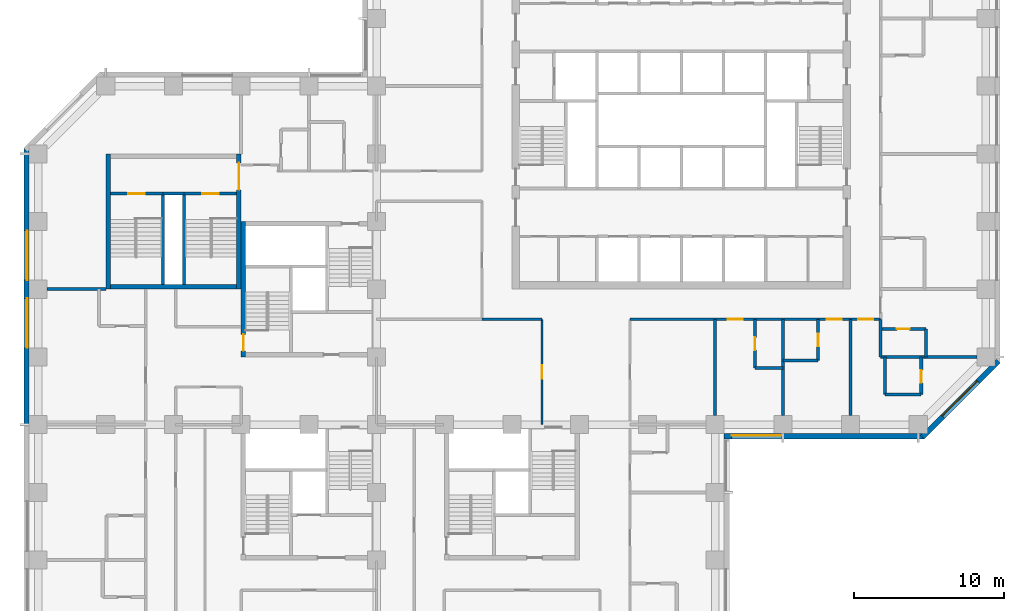
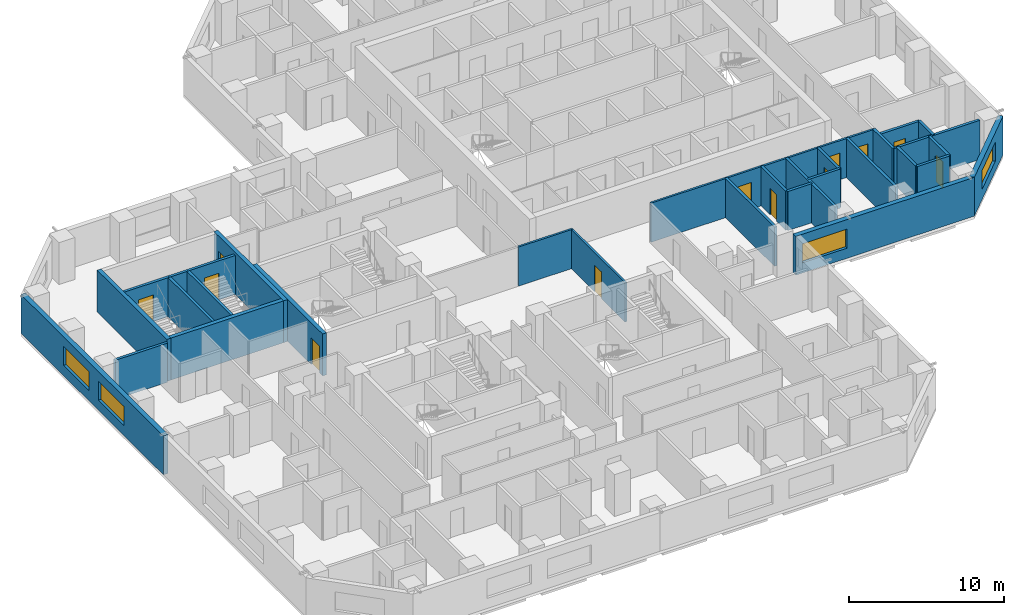
# One storey, part 6 of 13: 30 walls, 12 doors, 4 windows, 16 openings.
"""IFC4 building model written with IfcOpenShell, lengths in metres."""

from ifc_helpers import new_model, si_unit, direction, frame, frame_2d, origin, place, context, subcontext, project, spatial, rectangle, extrude, material, layer, layer_set, constituent, constituent_set, type_object, element, fill, save


model = new_model("IFC4")

# Units and contexts
model_context = context("Model", 3, precision=1e-05, world=origin(), true_north=direction((0.0, 1.0)))
body_context = subcontext(model_context, "Body", "Model", "MODEL_VIEW")
ifc_project = project(units=[si_unit("LENGTHUNIT", "METRE"), si_unit("AREAUNIT", "SQUARE_METRE"), si_unit("VOLUMEUNIT", "CUBIC_METRE"), si_unit("PLANEANGLEUNIT", "RADIAN"), si_unit("MASSUNIT", "GRAM", prefix="KILO")], contexts=[model_context])

# Site, building, storey
site_placement = place(None, origin())
site = spatial("IfcSite", under=ifc_project, at=site_placement, CompositionType="ELEMENT")
building_placement = place(site_placement, origin())
building = spatial("IfcBuilding", under=site, at=building_placement, Name="Quoin Convention Tower", CompositionType="ELEMENT")
storey_placement = place(building_placement, frame((0.0, 0.0, 62.699951171875)))
storey = spatial("IfcBuildingStorey", under=building, at=storey_placement, Name="L16", CompositionType="ELEMENT", Elevation=62.699951171875)

# Wall, opening, window
ifc_material_1 = material(Name="Brick masonry", Category="masonry")
ifc_layer_1 = layer(ifc_material_1, 0.35009765625)
ifc_layer_set_1 = layer_set([ifc_layer_1], Name="Brick masonry")
wall_type_1 = type_object("IfcWallType", Name="Brick facade wall", PredefinedType="STANDARD", material=ifc_layer_set_1)
wall_1_placement = place(storey_placement, frame((59.10009765625, 39.72509765625, 0.0), z_axis=(0.0, 0.0, 1.0), x_axis=(1.0, 0.0, 0.0)))
wall_1 = element("IfcWall", 1, at=wall_1_placement, inside=storey, type_object=wall_type_1, Name="fw-L16-58500_40500", PredefinedType="STANDARD", context=body_context, shape_type="SweptSolid", body=[
    extrude(rectangle(XDim=13.29345703125, YDim=0.35009765625, at=frame_2d((6.646728515625, 0.0))), origin(), (0.0, 0.0, 1.0), 3.054931640625),
])
opening_1_placement = place(wall_1_placement, frame((0.5, 0.0, 0.800048828125)))
opening_1 = element("IfcOpeningElement", 2, at=opening_1_placement, cuts=wall_1, Name="Opening W-01", PredefinedType="OPENING", context=body_context, shape_type="SweptSolid", body=[
    extrude(rectangle(XDim=3.300048828125, YDim=1.5, at=frame_2d((1.64990234375, 0.75))), frame((0.0, 0.18505859375, 0.0), z_axis=(0.0, -1.0, 0.0), x_axis=(1.0, 0.0, 0.0)), (0.0, 0.0, 1.0), 0.3701171875),
])
ifc_material_2 = material(Name="Aluminium", Category="aluminium")
ifc_constituent_1 = constituent(ifc_material_2, Name="Frame")
ifc_material_3 = material(Name="Insulated glass", Category="glass")
ifc_constituent_2 = constituent(ifc_material_3, Name="Glazing")
ifc_constituent_set = constituent_set(constituents=[ifc_constituent_1, ifc_constituent_2], Name="Aluminium")
window_type = type_object("IfcWindowType", Name="Hotel strip window", PartitioningType="DOUBLE_PANEL_VERTICAL", PredefinedType="WINDOW", material=ifc_constituent_set)
window_1_placement = place(opening_1_placement, origin())
window_1 = element("IfcWindow", 3, at=window_1_placement, inside=storey, type_object=window_type, Name="win-L16-60750_39725", OverallHeight=1.5, OverallWidth=3.300048828125, PartitioningType="SINGLE_PANEL", PredefinedType="WINDOW", context=body_context, shape_type="SweptSolid", body=[
    extrude(rectangle(XDim=3.300048828125, YDim=1.5, at=frame_2d((1.64990234375, 0.75))), frame((0.0, 0.0849609375, 0.0), z_axis=(0.0, -1.0, 0.0), x_axis=(1.0, 0.0, 0.0)), (0.0, 0.0, 1.0), 0.06005859375),
])
fill(opening_1, window_1)

wall_2_placement = place(storey_placement, frame((72.269775390625, 39.673583984375, 0.0), z_axis=(0.0, 0.0, 1.0), x_axis=(0.707106781187, 0.707106781187, 0.0)))
wall_2 = element("IfcWall", 4, at=wall_2_placement, inside=storey, type_object=wall_type_1, Name="fw-L16-72000_40500", PredefinedType="STANDARD", context=body_context, shape_type="SweptSolid", body=[
    extrude(rectangle(XDim=7.151123046875, YDim=0.35009765625, at=frame_2d((3.57568359375, 0.0))), origin(), (0.0, 0.0, 1.0), 3.054931640625),
])
opening_2_placement = place(wall_2_placement, frame((1.925537109375, 0.0, 0.800048828125)))
opening_2 = element("IfcOpeningElement", 5, at=opening_2_placement, cuts=wall_2, Name="Opening W-01", PredefinedType="OPENING", context=body_context, shape_type="SweptSolid", body=[
    extrude(rectangle(XDim=3.300048828125, YDim=1.5, at=frame_2d((1.64990234375, 0.75))), frame((0.0, 0.18505859375, 0.0), z_axis=(0.0, -1.0, 0.0), x_axis=(1.0, 0.0, 0.0)), (0.0, 0.0, 1.0), 0.3701171875),
])
window_2_placement = place(opening_2_placement, origin())
window_2 = element("IfcWindow", 6, at=window_2_placement, inside=storey, type_object=window_type, Name="win-L16-74798_42202", OverallHeight=1.5, OverallWidth=3.300048828125, PartitioningType="SINGLE_PANEL", PredefinedType="WINDOW", context=body_context, shape_type="SweptSolid", body=[
    extrude(rectangle(XDim=3.300048828125, YDim=1.5, at=frame_2d((1.64990234375, 0.75))), frame((0.0, 0.0849609375, 0.0), z_axis=(0.0, -1.0, 0.0), x_axis=(1.0, 0.0, 0.0)), (0.0, 0.0, 1.0), 0.06005859375),
])
fill(opening_2, window_2)

# Wall, openings, windows
wall_3_placement = place(storey_placement, frame((12.72509765625, 58.8935546875, 0.0), z_axis=(0.0, 0.0, 1.0), x_axis=(0.0, -1.0, 0.0)))
wall_3 = element("IfcWall", 7, at=wall_3_placement, inside=storey, type_object=wall_type_1, Name="fw-L16-13500_58500", PredefinedType="STANDARD", context=body_context, shape_type="SweptSolid", body=[
    extrude(rectangle(XDim=18.3935546875, YDim=0.35009765625, at=frame_2d((9.19677734375, 0.0))), origin(), (0.0, 0.0, 1.0), 3.054931640625),
])
opening_3_placement = place(wall_3_placement, frame((5.493408203125, 0.0, 0.800048828125)))
opening_3 = element("IfcOpeningElement", 8, at=opening_3_placement, cuts=wall_3, Name="Opening W-01", PredefinedType="OPENING", context=body_context, shape_type="SweptSolid", body=[
    extrude(rectangle(XDim=3.300048828125, YDim=1.5, at=frame_2d((1.64990234375, 0.75))), frame((0.0, 0.18505859375, 0.0), z_axis=(0.0, -1.0, 0.0), x_axis=(1.0, 0.0, 0.0)), (0.0, 0.0, 1.0), 0.3701171875),
])
opening_4_placement = place(wall_3_placement, frame((9.993408203125, 0.0, 0.800048828125)))
opening_4 = element("IfcOpeningElement", 9, at=opening_4_placement, cuts=wall_3, Name="Opening W-01", PredefinedType="OPENING", context=body_context, shape_type="SweptSolid", body=[
    extrude(rectangle(XDim=3.300048828125, YDim=1.5, at=frame_2d((1.64990234375, 0.75))), frame((0.0, 0.18505859375, 0.0), z_axis=(0.0, -1.0, 0.0), x_axis=(1.0, 0.0, 0.0)), (0.0, 0.0, 1.0), 0.3701171875),
])
window_3_placement = place(opening_3_placement, origin())
window_3 = element("IfcWindow", 10, at=window_3_placement, inside=storey, type_object=window_type, Name="win-L16-12725_51750", OverallHeight=1.5, OverallWidth=3.300048828125, PartitioningType="SINGLE_PANEL", PredefinedType="WINDOW", context=body_context, shape_type="SweptSolid", body=[
    extrude(rectangle(XDim=3.300048828125, YDim=1.5, at=frame_2d((1.64990234375, 0.75))), frame((0.0, 0.0849609375, 0.0), z_axis=(0.0, -1.0, 0.0), x_axis=(1.0, 0.0, 0.0)), (0.0, 0.0, 1.0), 0.06005859375),
])
fill(opening_3, window_3)
window_4_placement = place(opening_4_placement, origin())
window_4 = element("IfcWindow", 11, at=window_4_placement, inside=storey, type_object=window_type, Name="win-L16-12725_47250", OverallHeight=1.5, OverallWidth=3.300048828125, PartitioningType="SINGLE_PANEL", PredefinedType="WINDOW", context=body_context, shape_type="SweptSolid", body=[
    extrude(rectangle(XDim=3.300048828125, YDim=1.5, at=frame_2d((1.64990234375, 0.75))), frame((0.0, 0.0849609375, 0.0), z_axis=(0.0, -1.0, 0.0), x_axis=(1.0, 0.0, 0.0)), (0.0, 0.0, 1.0), 0.06005859375),
])
fill(opening_4, window_4)

# Wall
ifc_material_4 = material(Name="Concrete C50", Category="concrete")
ifc_layer_2 = layer(ifc_material_4, 0.199951171875)
ifc_layer_set_2 = layer_set([ifc_layer_2], Name="Concrete C50")
wall_type_2 = type_object("IfcWallType", Name="Core shaft wall", PredefinedType="SOLIDWALL", material=ifc_layer_set_2)
wall_4_placement = place(storey_placement, frame((21.800048828125, 55.85009765625, 0.0), z_axis=(0.0, 0.0, 1.0), x_axis=(1.0, 0.0, 0.0)))
element("IfcWall", 12, at=wall_4_placement, inside=storey, type_object=wall_type_2, Name="cr-P6-L16-h6350_3800", PredefinedType="SOLIDWALL", context=body_context, shape_type="SweptSolid", body=[
    extrude(rectangle(XDim=1.39990234375, YDim=0.199951171875, at=frame_2d((0.699951171875, 0.0))), origin(), (0.0, 0.0, 1.0), 3.080078125),
])

# Wall, opening, door
wall_5_placement = place(storey_placement, frame((18.300048828125, 55.85009765625, 0.0), z_axis=(0.0, 0.0, 1.0), x_axis=(1.0, 0.0, 0.0)))
wall_5 = element("IfcWall", 13, at=wall_5_placement, inside=storey, type_object=wall_type_2, Name="cr-P6-L16-h6350_300", PredefinedType="SOLIDWALL", context=body_context, shape_type="SweptSolid", body=[
    extrude(rectangle(XDim=3.5, YDim=0.199951171875, at=frame_2d((1.75, 0.0))), origin(), (0.0, 0.0, 1.0), 3.080078125),
])
opening_5_placement = place(wall_5_placement, frame((1.199951171875, 0.0, 0.0)))
opening_5 = element("IfcOpeningElement", 14, at=opening_5_placement, cuts=wall_5, Name="Opening SD11", PredefinedType="OPENING", context=body_context, shape_type="SweptSolid", body=[
    extrude(rectangle(XDim=1.10009765625, YDim=2.10009765625, at=frame_2d((0.550048828125, 1.050048828125))), frame((0.0, 0.10986328125, 0.0), z_axis=(0.0, -1.0, 0.0), x_axis=(1.0, 0.0, 0.0)), (0.0, 0.0, 1.0), 0.219970703125),
])
ifc_material_5 = material(Name="Steel door leaf", Category="steel")
door_type_1 = type_object("IfcDoorType", Name="Stair door 1100 x 2100", OperationType="SINGLE_SWING_RIGHT", PredefinedType="DOOR", material=ifc_material_5)
door_1_placement = place(opening_5_placement, origin())
door_1 = element("IfcDoor", 15, at=door_1_placement, inside=storey, type_object=door_type_1, Name="cd-P6-L16-SA-R2-SD11", OperationType="SINGLE_SWING_RIGHT", OverallHeight=2.10009765625, OverallWidth=1.10009765625, PredefinedType="DOOR", context=body_context, shape_type="SweptSolid", body=[
    extrude(rectangle(XDim=1.10009765625, YDim=2.10009765625, at=frame_2d((0.550048828125, 1.050048828125))), frame((0.0, 0.02490234375, 0.0), z_axis=(0.0, -1.0, 0.0), x_axis=(1.0, 0.0, 0.0)), (0.0, 0.0, 1.0), 0.050048828125),
])
fill(opening_5, door_1)

wall_6_placement = place(storey_placement, frame((23.199951171875, 55.85009765625, 0.0), z_axis=(0.0, 0.0, 1.0), x_axis=(1.0, 0.0, 0.0)))
wall_6 = element("IfcWall", 16, at=wall_6_placement, inside=storey, type_object=wall_type_2, Name="cr-P6-L16-h6350_5200", PredefinedType="SOLIDWALL", context=body_context, shape_type="SweptSolid", body=[
    extrude(rectangle(XDim=3.5, YDim=0.199951171875, at=frame_2d((1.75, 0.0))), origin(), (0.0, 0.0, 1.0), 3.080078125),
])
opening_6_placement = place(wall_6_placement, frame((1.199951171875, 0.0, 0.0)))
opening_6 = element("IfcOpeningElement", 17, at=opening_6_placement, cuts=wall_6, Name="Opening SD12", PredefinedType="OPENING", context=body_context, shape_type="SweptSolid", body=[
    extrude(rectangle(XDim=1.10009765625, YDim=2.10009765625, at=frame_2d((0.550048828125, 1.050048828125))), frame((0.0, 0.10986328125, 0.0), z_axis=(0.0, -1.0, 0.0), x_axis=(1.0, 0.0, 0.0)), (0.0, 0.0, 1.0), 0.219970703125),
])
door_2_placement = place(opening_6_placement, origin())
door_2 = element("IfcDoor", 18, at=door_2_placement, inside=storey, type_object=door_type_1, Name="cd-P6-L16-SB-R2-SD12", OperationType="SINGLE_SWING_RIGHT", OverallHeight=2.10009765625, OverallWidth=1.10009765625, PredefinedType="DOOR", context=body_context, shape_type="SweptSolid", body=[
    extrude(rectangle(XDim=1.10009765625, YDim=2.10009765625, at=frame_2d((0.550048828125, 1.050048828125))), frame((0.0, 0.02490234375, 0.0), z_axis=(0.0, -1.0, 0.0), x_axis=(1.0, 0.0, 0.0)), (0.0, 0.0, 1.0), 0.050048828125),
])
fill(opening_6, door_2)

# Walls
for number, where, z_axis, x_axis, name in (
    (19, (21.800048828125, 49.800048828125, 0.0), (0.0, 0.0, 1.0), (0.0, 1.0, 0.0), "cr-P6-L16-v3800_300"),
    (20, (23.199951171875, 49.800048828125, 0.0), (0.0, 0.0, 1.0), (0.0, 1.0, 0.0), "cr-P6-L16-v5200_300"),
):
    element("IfcWall", number, at=place(storey_placement, frame(where, z_axis=z_axis, x_axis=x_axis)), inside=storey, type_object=wall_type_2, Name=name, PredefinedType="SOLIDWALL", context=body_context, shape_type="SweptSolid", body=[
        extrude(rectangle(XDim=6.050048828125, YDim=0.199951171875, at=frame_2d((3.02490234375, 0.0))), origin(), (0.0, 0.0, 1.0), 3.080078125),
    ])

# Wall, opening, door
ifc_material_6 = material(Name="Concrete C80", Category="concrete")
ifc_layer_3 = layer(ifc_material_6, 0.300048828125)
ifc_layer_set_3 = layer_set([ifc_layer_3], Name="Concrete C80")
wall_type_3 = type_object("IfcWallType", Name="RC CORE WALL 300 C80", PredefinedType="SHEAR", material=ifc_layer_set_3)
wall_7_placement = place(storey_placement, frame((27.14990234375, 45.0, 0.0), z_axis=(0.0, 0.0, 1.0), x_axis=(0.0, 1.0, 0.0)))
wall_7 = element("IfcWall", 21, at=wall_7_placement, inside=storey, type_object=wall_type_3, Name="cwl-P2-L16-W", PredefinedType="SHEAR", context=body_context, shape_type="SweptSolid", body=[
    extrude(rectangle(XDim=9.0, YDim=0.300048828125, at=frame_2d((4.5, 0.0))), origin(), (0.0, 0.0, 1.0), 3.300048828125),
])
opening_7_placement = place(wall_7_placement, frame((0.39990234375, 0.0, 0.0)))
opening_7 = element("IfcOpeningElement", 22, at=opening_7_placement, cuts=wall_7, Name="Opening SD3", PredefinedType="OPENING", context=body_context, shape_type="SweptSolid", body=[
    extrude(rectangle(XDim=1.10009765625, YDim=2.10009765625, at=frame_2d((0.550048828125, 1.050048828125))), frame((0.0, 0.159912109375, 0.0), z_axis=(0.0, -1.0, 0.0), x_axis=(1.0, 0.0, 0.0)), (0.0, 0.0, 1.0), 0.320068359375),
])
door_3_placement = place(opening_7_placement, frame((1.10009765625, 0.0, 0.0), z_axis=(0.0, 0.0, 1.0), x_axis=(-1.0, 0.0, 0.0)))
door_3 = element("IfcDoor", 23, at=door_3_placement, inside=storey, type_object=door_type_1, Name="cd-P2-L16-SA-W", OperationType="SINGLE_SWING_RIGHT", OverallHeight=2.10009765625, OverallWidth=1.10009765625, PredefinedType="DOOR", context=body_context, shape_type="SweptSolid", body=[
    extrude(rectangle(XDim=1.10009765625, YDim=2.10009765625, at=frame_2d((0.550048828125, 1.050048828125))), frame((0.0, 0.02490234375, 0.0), z_axis=(0.0, -1.0, 0.0), x_axis=(1.0, 0.0, 0.0)), (0.0, 0.0, 1.0), 0.050048828125),
])
fill(opening_7, door_3)

# Walls
wall_8_placement = place(storey_placement, frame((18.300048828125, 49.64990234375, 0.0), z_axis=(0.0, 0.0, 1.0), x_axis=(1.0, 0.0, 0.0)))
element("IfcWall", 24, at=wall_8_placement, inside=storey, type_object=wall_type_3, Name="cwl-P6-L16-S", PredefinedType="SHEAR", context=body_context, shape_type="SweptSolid", body=[
    extrude(rectangle(XDim=8.39990234375, YDim=0.300048828125, at=frame_2d((4.199951171875, 0.0))), origin(), (0.0, 0.0, 1.0), 3.300048828125),
])
wall_9_placement = place(storey_placement, frame((18.14990234375, 49.5, 0.0), z_axis=(0.0, 0.0, 1.0), x_axis=(0.0, 1.0, 0.0)))
element("IfcWall", 25, at=wall_9_placement, inside=storey, type_object=wall_type_3, Name="cwl-P6-L16-W", PredefinedType="SHEAR", context=body_context, shape_type="SweptSolid", body=[
    extrude(rectangle(XDim=9.0, YDim=0.300048828125, at=frame_2d((4.5, 0.0))), origin(), (0.0, 0.0, 1.0), 3.300048828125),
])

# Wall, opening, door
wall_10_placement = place(storey_placement, frame((26.85009765625, 49.5, 0.0), z_axis=(0.0, 0.0, 1.0), x_axis=(0.0, 1.0, 0.0)))
wall_10 = element("IfcWall", 26, at=wall_10_placement, inside=storey, type_object=wall_type_3, Name="cwl-P6-L16-E", PredefinedType="SHEAR", context=body_context, shape_type="SweptSolid", body=[
    extrude(rectangle(XDim=9.0, YDim=0.300048828125, at=frame_2d((4.5, 0.0))), origin(), (0.0, 0.0, 1.0), 3.300048828125),
])
opening_8_placement = place(wall_10_placement, frame((6.60009765625, 0.0, 0.0)))
opening_8 = element("IfcOpeningElement", 27, at=opening_8_placement, cuts=wall_10, Name="Opening DCV0-64", PredefinedType="OPENING", context=body_context, shape_type="SweptSolid", body=[
    extrude(rectangle(XDim=1.800048828125, YDim=2.10009765625, at=frame_2d((0.89990234375, 1.050048828125))), frame((0.0, 0.159912109375, 0.0), z_axis=(0.0, -1.0, 0.0), x_axis=(1.0, 0.0, 0.0)), (0.0, 0.0, 1.0), 0.320068359375),
])
door_type_2 = type_object("IfcDoorType", Name="Goods lobby door 1800 x 2100", OperationType="SINGLE_SWING_LEFT", PredefinedType="DOOR", material=ifc_material_5)
door_4_placement = place(opening_8_placement, origin())
door_4 = element("IfcDoor", 28, at=door_4_placement, inside=storey, type_object=door_type_2, Name="cd-P6-L16-R2-E", OperationType="SINGLE_SWING_LEFT", OverallHeight=2.10009765625, OverallWidth=1.800048828125, PredefinedType="DOOR", context=body_context, shape_type="SweptSolid", body=[
    extrude(rectangle(XDim=1.800048828125, YDim=2.10009765625, at=frame_2d((0.89990234375, 1.050048828125))), frame((0.0, 0.02490234375, 0.0), z_axis=(0.0, -1.0, 0.0), x_axis=(1.0, 0.0, 0.0)), (0.0, 0.0, 1.0), 0.050048828125),
])
fill(opening_8, door_4)

# Walls
ifc_layer_4 = layer(ifc_material_4, 0.199951171875)
ifc_layer_set_4 = layer_set([ifc_layer_4], Name="Concrete C50")
wall_type_4 = type_object("IfcWallType", Name="RC party wall", PredefinedType="SOLIDWALL", material=ifc_layer_set_4)
for number, where, z_axis, x_axis, name in (
    (29, (63.0, 41.10009765625, 0.0), (0.0, 0.0, 1.0), (0.0, 1.0, 0.0), "pw-L16-073"),
    (30, (67.5, 41.10009765625, 0.0), (0.0, 0.0, 1.0), (0.0, 1.0, 0.0), "pw-L16-074"),
):
    element("IfcWall", number, at=place(storey_placement, frame(where, z_axis=z_axis, x_axis=x_axis)), inside=storey, type_object=wall_type_4, Name=name, PredefinedType="SOLIDWALL", context=body_context, shape_type="SweptSolid", body=[
        extrude(rectangle(XDim=6.39990234375, YDim=0.199951171875, at=frame_2d((3.199951171875, 0.0))), origin(), (0.0, 0.0, 1.0), 3.080078125),
    ])
wall_11_placement = place(storey_placement, frame((69.800048828125, 42.5, 0.0), z_axis=(0.0, 0.0, 1.0), x_axis=(1.0, 0.0, 0.0)))
element("IfcWall", 31, at=wall_11_placement, inside=storey, type_object=wall_type_4, Name="pw-L16-075", PredefinedType="SOLIDWALL", context=body_context, shape_type="SweptSolid", body=[
    extrude(rectangle(XDim=2.39990234375, YDim=0.199951171875, at=frame_2d((1.199951171875, 0.0))), origin(), (0.0, 0.0, 1.0), 3.080078125),
])
wall_12_placement = place(storey_placement, frame((69.800048828125, 42.5, 0.0), z_axis=(0.0, 0.0, 1.0), x_axis=(0.0, 1.0, 0.0)))
element("IfcWall", 32, at=wall_12_placement, inside=storey, type_object=wall_type_4, Name="pw-L16-076", PredefinedType="SOLIDWALL", context=body_context, shape_type="SweptSolid", body=[
    extrude(rectangle(XDim=2.5, YDim=0.199951171875, at=frame_2d((1.25, 0.0))), origin(), (0.0, 0.0, 1.0), 3.080078125),
])

# Wall, opening, door
wall_13_placement = place(storey_placement, frame((72.199951171875, 42.5, 0.0), z_axis=(0.0, 0.0, 1.0), x_axis=(0.0, 1.0, 0.0)))
wall_13 = element("IfcWall", 33, at=wall_13_placement, inside=storey, type_object=wall_type_4, Name="pw-L16-077", PredefinedType="SOLIDWALL", context=body_context, shape_type="SweptSolid", body=[
    extrude(rectangle(XDim=2.5, YDim=0.199951171875, at=frame_2d((1.25, 0.0))), origin(), (0.0, 0.0, 1.0), 3.080078125),
])
opening_9_placement = place(wall_13_placement, frame((0.77490234375, 0.0, 0.0)))
opening_9 = element("IfcOpeningElement", 34, at=opening_9_placement, cuts=wall_13, Name="Opening DHOTEL-E-46", PredefinedType="OPENING", context=body_context, shape_type="SweptSolid", body=[
    extrude(rectangle(XDim=0.85009765625, YDim=2.10009765625, at=frame_2d((0.425048828125, 1.050048828125))), frame((0.0, 0.10986328125, 0.0), z_axis=(0.0, -1.0, 0.0), x_axis=(1.0, 0.0, 0.0)), (0.0, 0.0, 1.0), 0.219970703125),
])
door_type_3 = type_object("IfcDoorType", Name="Bathroom door", OperationType="SINGLE_SWING_LEFT", PredefinedType="DOOR", material=ifc_material_5)
door_5_placement = place(opening_9_placement, frame((0.85009765625, 0.0, 0.0), z_axis=(0.0, 0.0, 1.0), x_axis=(-1.0, 0.0, 0.0)))
door_5 = element("IfcDoor", 35, at=door_5_placement, inside=storey, type_object=door_type_3, Name="dr-L16-060", OperationType="SINGLE_SWING_LEFT", OverallHeight=2.10009765625, OverallWidth=0.85009765625, PredefinedType="DOOR", context=body_context, shape_type="SweptSolid", body=[
    extrude(rectangle(XDim=0.85009765625, YDim=2.10009765625, at=frame_2d((0.425048828125, 1.050048828125))), frame((0.0, 0.02490234375, 0.0), z_axis=(0.0, -1.0, 0.0), x_axis=(1.0, 0.0, 0.0)), (0.0, 0.0, 1.0), 0.050048828125),
])
fill(opening_9, door_5)

# Wall
wall_14_placement = place(storey_placement, frame((61.14990234375, 44.25, 0.0), z_axis=(0.0, 0.0, 1.0), x_axis=(1.0, 0.0, 0.0)))
element("IfcWall", 36, at=wall_14_placement, inside=storey, type_object=wall_type_4, Name="pw-L16-078", PredefinedType="SOLIDWALL", context=body_context, shape_type="SweptSolid", body=[
    extrude(rectangle(XDim=1.85009765625, YDim=0.199951171875, at=frame_2d((0.925048828125, 0.0))), origin(), (0.0, 0.0, 1.0), 3.080078125),
])

# Wall, opening, door
wall_15_placement = place(storey_placement, frame((61.14990234375, 44.25, 0.0), z_axis=(0.0, 0.0, 1.0), x_axis=(0.0, 1.0, 0.0)))
wall_15 = element("IfcWall", 37, at=wall_15_placement, inside=storey, type_object=wall_type_4, Name="pw-L16-079", PredefinedType="SOLIDWALL", context=body_context, shape_type="SweptSolid", body=[
    extrude(rectangle(XDim=3.25, YDim=0.199951171875, at=frame_2d((1.625, 0.0))), origin(), (0.0, 0.0, 1.0), 3.080078125),
])
opening_10_placement = place(wall_15_placement, frame((1.199951171875, 0.0, 0.0)))
opening_10 = element("IfcOpeningElement", 38, at=opening_10_placement, cuts=wall_15, Name="Opening DHOTEL-E-47", PredefinedType="OPENING", context=body_context, shape_type="SweptSolid", body=[
    extrude(rectangle(XDim=0.85009765625, YDim=2.10009765625, at=frame_2d((0.425048828125, 1.050048828125))), frame((0.0, 0.10986328125, 0.0), z_axis=(0.0, -1.0, 0.0), x_axis=(1.0, 0.0, 0.0)), (0.0, 0.0, 1.0), 0.219970703125),
])
door_6_placement = place(opening_10_placement, origin())
door_6 = element("IfcDoor", 39, at=door_6_placement, inside=storey, type_object=door_type_3, Name="dr-L16-048", OperationType="SINGLE_SWING_RIGHT", OverallHeight=2.10009765625, OverallWidth=0.85009765625, PredefinedType="DOOR", context=body_context, shape_type="SweptSolid", body=[
    extrude(rectangle(XDim=0.85009765625, YDim=2.10009765625, at=frame_2d((0.425048828125, 1.050048828125))), frame((0.0, 0.02490234375, 0.0), z_axis=(0.0, -1.0, 0.0), x_axis=(1.0, 0.0, 0.0)), (0.0, 0.0, 1.0), 0.050048828125),
])
fill(opening_10, door_6)

# Wall
wall_16_placement = place(storey_placement, frame((63.0, 44.75, 0.0), z_axis=(0.0, 0.0, 1.0), x_axis=(1.0, 0.0, 0.0)))
element("IfcWall", 40, at=wall_16_placement, inside=storey, type_object=wall_type_4, Name="pw-L16-080", PredefinedType="SOLIDWALL", context=body_context, shape_type="SweptSolid", body=[
    extrude(rectangle(XDim=2.35009765625, YDim=0.199951171875, at=frame_2d((1.175048828125, 0.0))), origin(), (0.0, 0.0, 1.0), 3.080078125),
])

# Wall, opening, door
wall_17_placement = place(storey_placement, frame((65.35009765625, 44.75, 0.0), z_axis=(0.0, 0.0, 1.0), x_axis=(0.0, 1.0, 0.0)))
wall_17 = element("IfcWall", 41, at=wall_17_placement, inside=storey, type_object=wall_type_4, Name="pw-L16-081", PredefinedType="SOLIDWALL", context=body_context, shape_type="SweptSolid", body=[
    extrude(rectangle(XDim=2.75, YDim=0.199951171875, at=frame_2d((1.375, 0.0))), origin(), (0.0, 0.0, 1.0), 3.080078125),
])
opening_11_placement = place(wall_17_placement, frame((0.949951171875, 0.0, 0.0)))
opening_11 = element("IfcOpeningElement", 42, at=opening_11_placement, cuts=wall_17, Name="Opening DHOTEL-E-48", PredefinedType="OPENING", context=body_context, shape_type="SweptSolid", body=[
    extrude(rectangle(XDim=0.85009765625, YDim=2.10009765625, at=frame_2d((0.425048828125, 1.050048828125))), frame((0.0, 0.10986328125, 0.0), z_axis=(0.0, -1.0, 0.0), x_axis=(1.0, 0.0, 0.0)), (0.0, 0.0, 1.0), 0.219970703125),
])
door_7_placement = place(opening_11_placement, frame((0.85009765625, 0.0, 0.0), z_axis=(0.0, 0.0, 1.0), x_axis=(-1.0, 0.0, 0.0)))
door_7 = element("IfcDoor", 43, at=door_7_placement, inside=storey, type_object=door_type_3, Name="dr-L16-046", OperationType="SINGLE_SWING_LEFT", OverallHeight=2.10009765625, OverallWidth=0.85009765625, PredefinedType="DOOR", context=body_context, shape_type="SweptSolid", body=[
    extrude(rectangle(XDim=0.85009765625, YDim=2.10009765625, at=frame_2d((0.425048828125, 1.050048828125))), frame((0.0, 0.02490234375, 0.0), z_axis=(0.0, -1.0, 0.0), x_axis=(1.0, 0.0, 0.0)), (0.0, 0.0, 1.0), 0.050048828125),
])
fill(opening_11, door_7)

# Walls
wall_18_placement = place(storey_placement, frame((69.5, 45.0, 0.0), z_axis=(0.0, 0.0, 1.0), x_axis=(1.0, 0.0, 0.0)))
element("IfcWall", 44, at=wall_18_placement, inside=storey, type_object=wall_type_4, Name="pw-L16-082", PredefinedType="SOLIDWALL", context=body_context, shape_type="SweptSolid", body=[
    extrude(rectangle(XDim=6.39990234375, YDim=0.199951171875, at=frame_2d((3.199951171875, 0.0))), origin(), (0.0, 0.0, 1.0), 3.080078125),
])
wall_19_placement = place(storey_placement, frame((69.5, 45.0, 0.0), z_axis=(0.0, 0.0, 1.0), x_axis=(0.0, 1.0, 0.0)))
element("IfcWall", 45, at=wall_19_placement, inside=storey, type_object=wall_type_4, Name="pw-L16-083", PredefinedType="SOLIDWALL", context=body_context, shape_type="SweptSolid", body=[
    extrude(rectangle(XDim=2.5, YDim=0.199951171875, at=frame_2d((1.25, 0.0))), origin(), (0.0, 0.0, 1.0), 3.080078125),
])
wall_20_placement = place(storey_placement, frame((72.5, 45.0, 0.0), z_axis=(0.0, 0.0, 1.0), x_axis=(0.0, 1.0, 0.0)))
element("IfcWall", 46, at=wall_20_placement, inside=storey, type_object=wall_type_4, Name="pw-L16-084", PredefinedType="SOLIDWALL", context=body_context, shape_type="SweptSolid", body=[
    extrude(rectangle(XDim=1.85009765625, YDim=0.199951171875, at=frame_2d((0.925048828125, 0.0))), origin(), (0.0, 0.0, 1.0), 3.080078125),
])

# Wall, opening, door
wall_21_placement = place(storey_placement, frame((69.5, 46.85009765625, 0.0), z_axis=(0.0, 0.0, 1.0), x_axis=(1.0, 0.0, 0.0)))
wall_21 = element("IfcWall", 47, at=wall_21_placement, inside=storey, type_object=wall_type_4, Name="pw-L16-085", PredefinedType="SOLIDWALL", context=body_context, shape_type="SweptSolid", body=[
    extrude(rectangle(XDim=3.0, YDim=0.199951171875, at=frame_2d((1.5, 0.0))), origin(), (0.0, 0.0, 1.0), 3.080078125),
])
opening_12_placement = place(wall_21_placement, frame((1.074951171875, 0.0, 0.0)))
opening_12 = element("IfcOpeningElement", 48, at=opening_12_placement, cuts=wall_21, Name="Opening DHOTEL-E-49", PredefinedType="OPENING", context=body_context, shape_type="SweptSolid", body=[
    extrude(rectangle(XDim=0.85009765625, YDim=2.10009765625, at=frame_2d((0.425048828125, 1.050048828125))), frame((0.0, 0.10986328125, 0.0), z_axis=(0.0, -1.0, 0.0), x_axis=(1.0, 0.0, 0.0)), (0.0, 0.0, 1.0), 0.219970703125),
])
door_8_placement = place(opening_12_placement, origin())
door_8 = element("IfcDoor", 49, at=door_8_placement, inside=storey, type_object=door_type_3, Name="dr-L16-044", OperationType="SINGLE_SWING_LEFT", OverallHeight=2.10009765625, OverallWidth=0.85009765625, PredefinedType="DOOR", context=body_context, shape_type="SweptSolid", body=[
    extrude(rectangle(XDim=0.85009765625, YDim=2.10009765625, at=frame_2d((0.425048828125, 1.050048828125))), frame((0.0, 0.02490234375, 0.0), z_axis=(0.0, -1.0, 0.0), x_axis=(1.0, 0.0, 0.0)), (0.0, 0.0, 1.0), 0.050048828125),
])
fill(opening_12, door_8)

# Wall
wall_22_placement = place(storey_placement, frame((14.10009765625, 49.5, 0.0), z_axis=(0.0, 0.0, 1.0), x_axis=(1.0, 0.0, 0.0)))
element("IfcWall", 50, at=wall_22_placement, inside=storey, type_object=wall_type_4, Name="pw-L16-088", PredefinedType="SOLIDWALL", context=body_context, shape_type="SweptSolid", body=[
    extrude(rectangle(XDim=3.89990234375, YDim=0.199951171875, at=frame_2d((1.949951171875, 0.0))), origin(), (0.0, 0.0, 1.0), 3.080078125),
])

# Wall, opening, door
ifc_material_7 = material(Name="Plasterboard")
ifc_layer_5 = layer(ifc_material_7, 0.012451171875, Name="Finish")
ifc_material_8 = material(Name="Steel stud framing", Category="steel")
ifc_layer_6 = layer(ifc_material_8, 0.125, Name="Structure")
ifc_layer_7 = layer(ifc_material_7, 0.012451171875, Name="Finish")
ifc_layer_set_5 = layer_set([ifc_layer_5, ifc_layer_6, ifc_layer_7], Name="Steel stud framing")
wall_type_5 = type_object("IfcWallType", Name="corridor partition", PredefinedType="PARTITIONING", material=ifc_layer_set_5)
wall_23_placement = place(storey_placement, frame((47.0, 40.5, 0.0), z_axis=(0.0, 0.0, 1.0), x_axis=(0.0, 1.0, 0.0)))
wall_23 = element("IfcWall", 51, at=wall_23_placement, inside=storey, type_object=wall_type_5, Name="pw-L16-024", PredefinedType="PARTITIONING", context=body_context, shape_type="SweptSolid", body=[
    extrude(rectangle(XDim=7.0, YDim=0.14990234375, at=frame_2d((3.5, 0.0))), origin(), (0.0, 0.0, 1.0), 3.080078125),
])
opening_13_placement = place(wall_23_placement, frame((3.050048828125, 0.0, 0.0)))
opening_13 = element("IfcOpeningElement", 52, at=opening_13_placement, cuts=wall_23, Name="Opening DHOTEL-E-17", PredefinedType="OPENING", context=body_context, shape_type="SweptSolid", body=[
    extrude(rectangle(XDim=0.89990234375, YDim=2.10009765625, at=frame_2d((0.449951171875, 1.050048828125))), frame((0.0, 0.0849609375, 0.0), z_axis=(0.0, -1.0, 0.0), x_axis=(1.0, 0.0, 0.0)), (0.0, 0.0, 1.0), 0.169921875),
])
door_type_4 = type_object("IfcDoorType", Name="Single room door", OperationType="SINGLE_SWING_RIGHT", PredefinedType="DOOR", material=ifc_material_5)
door_9_placement = place(opening_13_placement, origin())
door_9 = element("IfcDoor", 53, at=door_9_placement, inside=storey, type_object=door_type_4, Name="dr-L16-069", OperationType="SINGLE_SWING_RIGHT", OverallHeight=2.10009765625, OverallWidth=0.89990234375, PredefinedType="DOOR", context=body_context, shape_type="SweptSolid", body=[
    extrude(rectangle(XDim=0.89990234375, YDim=2.10009765625, at=frame_2d((0.449951171875, 1.050048828125))), frame((0.0, 0.02490234375, 0.0), z_axis=(0.0, -1.0, 0.0), x_axis=(1.0, 0.0, 0.0)), (0.0, 0.0, 1.0), 0.050048828125),
])
fill(opening_13, door_9)

# Wall
wall_24_placement = place(storey_placement, frame((43.0, 47.5, 0.0), z_axis=(0.0, 0.0, 1.0), x_axis=(1.0, 0.0, 0.0)))
element("IfcWall", 54, at=wall_24_placement, inside=storey, type_object=wall_type_5, Name="pw-L16-028", PredefinedType="PARTITIONING", context=body_context, shape_type="SweptSolid", body=[
    extrude(rectangle(XDim=4.0, YDim=0.14990234375, at=frame_2d((2.0, 0.0))), origin(), (0.0, 0.0, 1.0), 3.080078125),
])

# Wall, openings, doors
wall_25_placement = place(storey_placement, frame((52.85009765625, 47.5, 0.0), z_axis=(0.0, 0.0, 1.0), x_axis=(1.0, 0.0, 0.0)))
wall_25 = element("IfcWall", 55, at=wall_25_placement, inside=storey, type_object=wall_type_5, Name="pw-L16-030", PredefinedType="PARTITIONING", context=body_context, shape_type="SweptSolid", body=[
    extrude(rectangle(XDim=16.64990234375, YDim=0.14990234375, at=frame_2d((8.324951171875, 0.0))), origin(), (0.0, 0.0, 1.0), 3.080078125),
])
opening_14_placement = place(wall_25_placement, frame((13.074951171875, 0.0, 0.0)))
opening_14 = element("IfcOpeningElement", 56, at=opening_14_placement, cuts=wall_25, Name="Opening DHOTEL-E-21", PredefinedType="OPENING", context=body_context, shape_type="SweptSolid", body=[
    extrude(rectangle(XDim=1.0, YDim=2.10009765625, at=frame_2d((0.5, 1.050048828125))), frame((0.0, 0.0849609375, 0.0), z_axis=(0.0, -1.0, 0.0), x_axis=(1.0, 0.0, 0.0)), (0.0, 0.0, 1.0), 0.169921875),
])
opening_15_placement = place(wall_25_placement, frame((6.47509765625, 0.0, 0.0)))
opening_15 = element("IfcOpeningElement", 57, at=opening_15_placement, cuts=wall_25, Name="Opening DHOTEL-E-20", PredefinedType="OPENING", context=body_context, shape_type="SweptSolid", body=[
    extrude(rectangle(XDim=1.0, YDim=2.10009765625, at=frame_2d((0.5, 1.050048828125))), frame((0.0, 0.0849609375, 0.0), z_axis=(0.0, -1.0, 0.0), x_axis=(1.0, 0.0, 0.0)), (0.0, 0.0, 1.0), 0.169921875),
])
opening_16_placement = place(wall_25_placement, frame((15.14990234375, 0.0, 0.0)))
opening_16 = element("IfcOpeningElement", 58, at=opening_16_placement, cuts=wall_25, Name="Opening DHOTEL-E-22", PredefinedType="OPENING", context=body_context, shape_type="SweptSolid", body=[
    extrude(rectangle(XDim=1.0, YDim=2.10009765625, at=frame_2d((0.5, 1.050048828125))), frame((0.0, 0.0849609375, 0.0), z_axis=(0.0, -1.0, 0.0), x_axis=(1.0, 0.0, 0.0)), (0.0, 0.0, 1.0), 0.169921875),
])
door_type_5 = type_object("IfcDoorType", Name="Hotel room door", OperationType="SINGLE_SWING_LEFT", PredefinedType="DOOR", material=ifc_material_5)
door_10_placement = place(opening_14_placement, frame((1.0, 0.0, 0.0), z_axis=(0.0, 0.0, 1.0), x_axis=(-1.0, 0.0, 0.0)))
door_10 = element("IfcDoor", 59, at=door_10_placement, inside=storey, type_object=door_type_5, Name="dr-L16-045", OperationType="SINGLE_SWING_LEFT", OverallHeight=2.10009765625, OverallWidth=1.0, PredefinedType="DOOR", context=body_context, shape_type="SweptSolid", body=[
    extrude(rectangle(XDim=1.0, YDim=2.10009765625, at=frame_2d((0.5, 1.050048828125))), frame((0.0, 0.02490234375, 0.0), z_axis=(0.0, -1.0, 0.0), x_axis=(1.0, 0.0, 0.0)), (0.0, 0.0, 1.0), 0.050048828125),
])
fill(opening_14, door_10)
door_11_placement = place(opening_15_placement, frame((1.0, 0.0, 0.0), z_axis=(0.0, 0.0, 1.0), x_axis=(-1.0, 0.0, 0.0)))
door_11 = element("IfcDoor", 60, at=door_11_placement, inside=storey, type_object=door_type_5, Name="dr-L16-047", OperationType="SINGLE_SWING_LEFT", OverallHeight=2.10009765625, OverallWidth=1.0, PredefinedType="DOOR", context=body_context, shape_type="SweptSolid", body=[
    extrude(rectangle(XDim=1.0, YDim=2.10009765625, at=frame_2d((0.5, 1.050048828125))), frame((0.0, 0.02490234375, 0.0), z_axis=(0.0, -1.0, 0.0), x_axis=(1.0, 0.0, 0.0)), (0.0, 0.0, 1.0), 0.050048828125),
])
fill(opening_15, door_11)
door_12_placement = place(opening_16_placement, frame((1.0, 0.0, 0.0), z_axis=(0.0, 0.0, 1.0), x_axis=(-1.0, 0.0, 0.0)))
door_12 = element("IfcDoor", 61, at=door_12_placement, inside=storey, type_object=door_type_5, Name="dr-L16-059", OperationType="SINGLE_SWING_LEFT", OverallHeight=2.10009765625, OverallWidth=1.0, PredefinedType="DOOR", context=body_context, shape_type="SweptSolid", body=[
    extrude(rectangle(XDim=1.0, YDim=2.10009765625, at=frame_2d((0.5, 1.050048828125))), frame((0.0, 0.02490234375, 0.0), z_axis=(0.0, -1.0, 0.0), x_axis=(1.0, 0.0, 0.0)), (0.0, 0.0, 1.0), 0.050048828125),
])
fill(opening_16, door_12)

# Wall
ifc_layer_8 = layer(ifc_material_7, 0.012451171875, Name="Finish")
ifc_layer_9 = layer(ifc_material_8, 0.175048828125, Name="Structure")
ifc_layer_10 = layer(ifc_material_7, 0.012451171875, Name="Finish")
ifc_layer_set_6 = layer_set([ifc_layer_8, ifc_layer_9, ifc_layer_10], Name="Steel stud framing")
wall_type_6 = type_object("IfcWallType", Name="guest room compartment wall", PredefinedType="PARTITIONING", material=ifc_layer_set_6)
wall_26_placement = place(storey_placement, frame((58.5, 41.10009765625, 0.0), z_axis=(0.0, 0.0, 1.0), x_axis=(0.0, 1.0, 0.0)))
element("IfcWall", 62, at=wall_26_placement, inside=storey, type_object=wall_type_6, Name="pw-L16-002", PredefinedType="PARTITIONING", context=body_context, shape_type="SweptSolid", body=[
    extrude(rectangle(XDim=6.39990234375, YDim=0.199951171875, at=frame_2d((3.199951171875, 0.0))), origin(), (0.0, 0.0, 1.0), 3.080078125),
])

save(model, "model.ifc")
